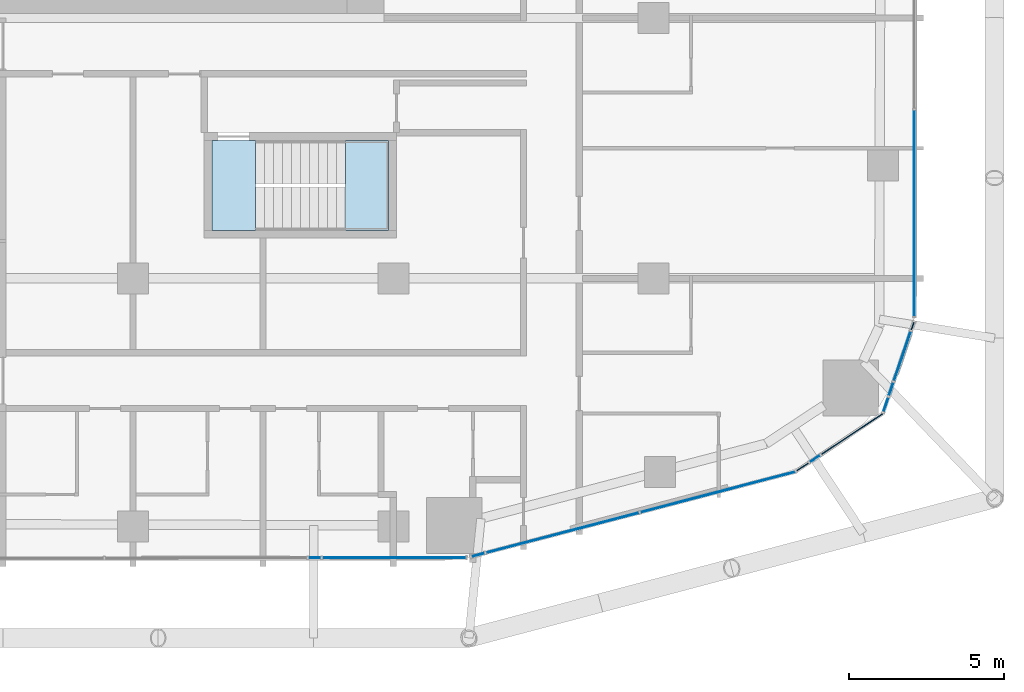
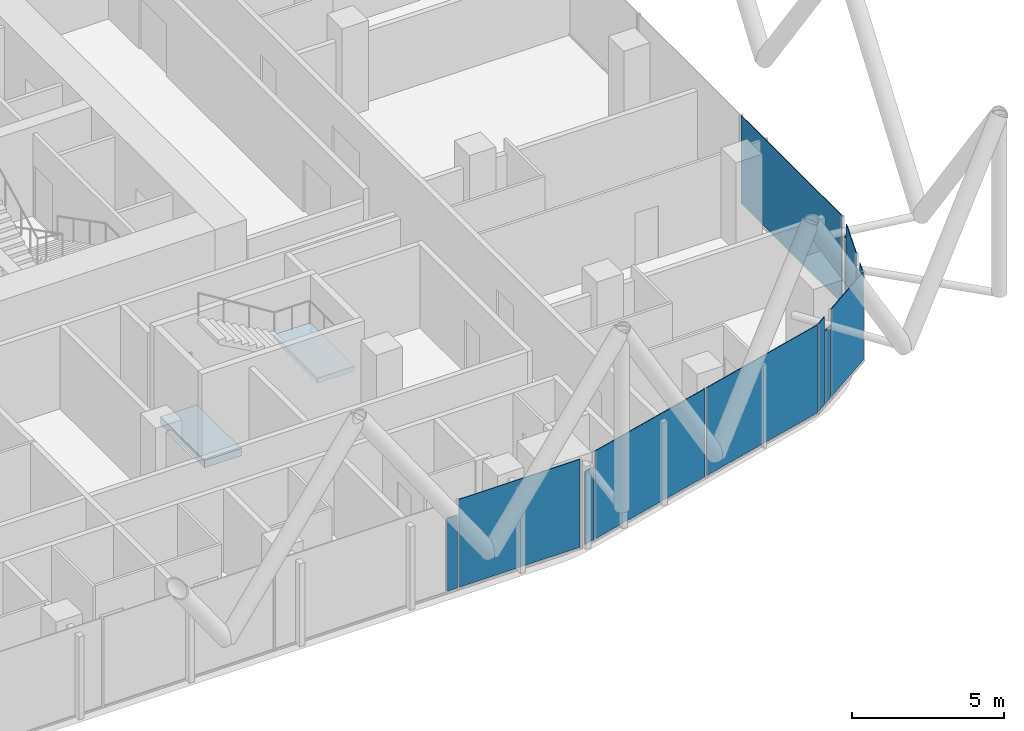
# One storey, part 22 of 38: 13 plates, 2 slabs, 13 elements without a shape of their own.
"""IFC4 building model written with IfcOpenShell, lengths in metres."""

from ifc_helpers import new_model, si_unit, direction, frame, origin, origin_2d, place, context, subcontext, project, spatial, polyline, rectangle, outline, extrude, material, layer, layer_set, type_object, element, aggregate, save


model = new_model("IFC4")

# Units and contexts
model_context = context("Model", 3, precision=1e-05, world=origin(), true_north=direction((0.0, 1.0)))
body_context = subcontext(model_context, "Body", "Model", "MODEL_VIEW")
ifc_project = project(units=[si_unit("LENGTHUNIT", "METRE"), si_unit("AREAUNIT", "SQUARE_METRE"), si_unit("VOLUMEUNIT", "CUBIC_METRE"), si_unit("PLANEANGLEUNIT", "RADIAN"), si_unit("MASSUNIT", "GRAM", prefix="KILO")], contexts=[model_context])

# Site, building, storey
site_placement = place(None, origin())
site = spatial("IfcSite", under=ifc_project, at=site_placement, CompositionType="ELEMENT")
building_placement = place(site_placement, origin())
building = spatial("IfcBuilding", under=site, at=building_placement, Name="Marenta Gate Hotel Tower", CompositionType="ELEMENT")
storey_placement = place(building_placement, frame((0.0, 0.0, 40.10009765625)))
storey = spatial("IfcBuildingStorey", under=building, at=storey_placement, Name="L07", CompositionType="ELEMENT", Elevation=40.10009765625)

# Curtain wall, plate
ifc_material_1 = material(Name="Tinted insulated glass in bronze anodised frame", Category="glass")
ifc_layer_1 = layer(ifc_material_1, 0.1201171875)
ifc_layer_set_1 = layer_set([ifc_layer_1], Name="Tinted insulated glass in bronze anodised frame")
curtain_wall_type = type_object("IfcCurtainWallType", Name="Tower unitised curtain wall CW1", PredefinedType="NOTDEFINED", material=ifc_layer_set_1)
curtain_wall_1_placement = place(storey_placement, origin())
curtain_wall_1 = element("IfcCurtainWall", 1, at=curtain_wall_1_placement, inside=storey, type_object=curtain_wall_type, Name="CW1 run G21", PredefinedType="NOTDEFINED")
ifc_material_2 = material(Name="Tinted insulated glass", Category="glass")
ifc_layer_2 = layer(ifc_material_2, 0.028076171875)
ifc_layer_set_2 = layer_set([ifc_layer_2], Name="Tinted insulated glass")
plate_type = type_object("IfcPlateType", Name="Glass panel CW1 28 mm tinted insulated unit", PredefinedType="CURTAIN_PANEL", material=ifc_layer_set_2)
plate_1_placement = place(storey_placement, frame((10.06298828125, -17.418701171875, 0.06005859375), z_axis=(0.0, 0.0, 1.0), x_axis=(0.999999390865, 0.001103752086, 0.0)))
plate_1 = element("IfcPlate", 2, at=plate_1_placement, type_object=plate_type, Name="CW1 panel 1.1", PredefinedType="CURTAIN_PANEL", context=body_context, shape_type="SweptSolid", body=[
    extrude(rectangle(XDim=0.39306640625, YDim=0.028076171875, at=origin_2d()), origin(), (0.0, 0.0, 1.0), 2.9404296875),
])
aggregate(curtain_wall_1, [plate_1])

curtain_wall_2_placement = place(storey_placement, origin())
curtain_wall_2 = element("IfcCurtainWall", 3, at=curtain_wall_2_placement, inside=storey, type_object=curtain_wall_type, Name="CW1 run G22", PredefinedType="NOTDEFINED")
plate_2_placement = place(storey_placement, frame((12.626708984375, -17.415771484375, 0.059814453125), z_axis=(0.0, 0.0, 1.0), x_axis=(0.99999932513, 0.001161782868, 0.0)))
plate_2 = element("IfcPlate", 4, at=plate_2_placement, type_object=plate_type, Name="CW1 panel 1.1", PredefinedType="CURTAIN_PANEL", context=body_context, shape_type="SweptSolid", body=[
    extrude(rectangle(XDim=4.614013671875, YDim=0.028076171875, at=origin_2d()), origin(), (0.0, 0.0, 1.0), 3.5400390625),
])
aggregate(curtain_wall_2, [plate_2])

curtain_wall_3_placement = place(storey_placement, origin())
curtain_wall_3 = element("IfcCurtainWall", 5, at=curtain_wall_3_placement, inside=storey, type_object=curtain_wall_type, Name="CW1 run G23", PredefinedType="NOTDEFINED")
plate_3_placement = place(storey_placement, frame((15.337158203125, -17.322998046875, 0.06005859375), z_axis=(0.0, 0.0, 1.0), x_axis=(0.967355319897, 0.25342392363, 0.0)))
plate_3 = element("IfcPlate", 6, at=plate_3_placement, type_object=plate_type, Name="CW1 panel 1.1", PredefinedType="CURTAIN_PANEL", context=body_context, shape_type="SweptSolid", body=[
    extrude(rectangle(XDim=0.42333984375, YDim=0.028076171875, at=origin_2d()), origin(), (0.0, 0.0, 1.0), 2.9404296875),
])
aggregate(curtain_wall_3, [plate_3])

# Curtain wall, plates
curtain_wall_4_placement = place(storey_placement, origin())
curtain_wall_4 = element("IfcCurtainWall", 7, at=curtain_wall_4_placement, inside=storey, type_object=curtain_wall_type, Name="CW1 run G24", PredefinedType="NOTDEFINED")
plate_4_placement = place(storey_placement, frame((18.06298828125, -16.609130859375, 0.059814453125), z_axis=(0.0, 0.0, 1.0), x_axis=(0.967371097224, 0.253363691666, 0.0)))
plate_4 = element("IfcPlate", 8, at=plate_4_placement, type_object=plate_type, Name="CW1 panel 1.1", PredefinedType="CURTAIN_PANEL", context=body_context, shape_type="SweptSolid", body=[
    extrude(rectangle(XDim=5.091796875, YDim=0.028076171875, at=origin_2d()), origin(), (0.0, 0.0, 1.0), 3.5400390625),
])
plate_5_placement = place(storey_placement, frame((23.07568359375, -15.296142578125, 0.059814453125), z_axis=(0.0, 0.0, 1.0), x_axis=(0.967371097224, 0.253363691666, 0.0)))
plate_5 = element("IfcPlate", 9, at=plate_5_placement, type_object=plate_type, Name="CW1 panel 2.1", PredefinedType="CURTAIN_PANEL", context=body_context, shape_type="SweptSolid", body=[
    extrude(rectangle(XDim=5.15185546875, YDim=0.028076171875, at=origin_2d()), origin(), (0.0, 0.0, 1.0), 3.5400390625),
])
aggregate(curtain_wall_4, [plate_4, plate_5])

# Curtain wall, plate
curtain_wall_5_placement = place(storey_placement, origin())
curtain_wall_5 = element("IfcCurtainWall", 10, at=curtain_wall_5_placement, inside=storey, type_object=curtain_wall_type, Name="CW1 run G25", PredefinedType="NOTDEFINED")
plate_6_placement = place(storey_placement, frame((25.805419921875, -14.4853515625, 0.059814453125), z_axis=(0.0, 0.0, 1.0), x_axis=(0.83247144448, 0.55406795082, 0.0)))
plate_6 = element("IfcPlate", 11, at=plate_6_placement, type_object=plate_type, Name="CW1 panel 1.1", PredefinedType="CURTAIN_PANEL", context=body_context, shape_type="SweptSolid", body=[
    extrude(rectangle(XDim=0.451171875, YDim=0.028076171875, at=origin_2d()), origin(), (0.0, 0.0, 1.0), 3.5400390625),
])
aggregate(curtain_wall_5, [plate_6])

curtain_wall_6_placement = place(storey_placement, origin())
curtain_wall_6 = element("IfcCurtainWall", 12, at=curtain_wall_6_placement, inside=storey, type_object=curtain_wall_type, Name="CW1 run G26", PredefinedType="NOTDEFINED")
plate_7_placement = place(storey_placement, frame((26.20654296875, -14.21826171875, 0.06005859375), z_axis=(0.0, 0.0, 1.0), x_axis=(0.832559434477, 0.55393572557, 0.0)))
plate_7 = element("IfcPlate", 13, at=plate_7_placement, type_object=plate_type, Name="CW1 panel 1.1", PredefinedType="CURTAIN_PANEL", context=body_context, shape_type="SweptSolid", body=[
    extrude(rectangle(XDim=0.392822265625, YDim=0.028076171875, at=origin_2d()), origin(), (0.0, 0.0, 1.0), 2.9404296875),
])
aggregate(curtain_wall_6, [plate_7])

curtain_wall_7_placement = place(storey_placement, origin())
curtain_wall_7 = element("IfcCurtainWall", 14, at=curtain_wall_7_placement, inside=storey, type_object=curtain_wall_type, Name="CW1 run G27", PredefinedType="NOTDEFINED")
plate_8_placement = place(storey_placement, frame((27.407958984375, -13.418701171875, 0.059814453125), z_axis=(0.0, 0.0, 1.0), x_axis=(0.832486310802, 0.554045613941, 0.0)))
plate_8 = element("IfcPlate", 15, at=plate_8_placement, type_object=plate_type, Name="CW1 panel 1.1", PredefinedType="CURTAIN_PANEL", context=body_context, shape_type="SweptSolid", body=[
    extrude(rectangle(XDim=2.373291015625, YDim=0.028076171875, at=origin_2d()), origin(), (0.0, 0.0, 1.0), 3.5400390625),
])
aggregate(curtain_wall_7, [plate_8])

curtain_wall_8_placement = place(storey_placement, origin())
curtain_wall_8 = element("IfcCurtainWall", 16, at=curtain_wall_8_placement, inside=storey, type_object=curtain_wall_type, Name="CW1 run G28", PredefinedType="NOTDEFINED")
plate_9_placement = place(storey_placement, frame((28.493408203125, -12.474609375, 0.059814453125), z_axis=(0.0, 0.0, 1.0), x_axis=(0.322050601446, 0.946722456746, 0.0)))
plate_9 = element("IfcPlate", 17, at=plate_9_placement, type_object=plate_type, Name="CW1 panel 1.1", PredefinedType="CURTAIN_PANEL", context=body_context, shape_type="SweptSolid", body=[
    extrude(rectangle(XDim=0.485595703125, YDim=0.028076171875, at=origin_2d()), origin(), (0.0, 0.0, 1.0), 3.5400390625),
])
aggregate(curtain_wall_8, [plate_9])

curtain_wall_9_placement = place(storey_placement, origin())
curtain_wall_9 = element("IfcCurtainWall", 18, at=curtain_wall_9_placement, inside=storey, type_object=curtain_wall_type, Name="CW1 run G29", PredefinedType="NOTDEFINED")
plate_10_placement = place(storey_placement, frame((28.663330078125, -11.974853515625, 0.06005859375), z_axis=(0.0, 0.0, 1.0), x_axis=(0.321979977321, 0.946746478316, 0.0)))
plate_10 = element("IfcPlate", 19, at=plate_10_placement, type_object=plate_type, Name="CW1 panel 1.1", PredefinedType="CURTAIN_PANEL", context=body_context, shape_type="SweptSolid", body=[
    extrude(rectangle(XDim=0.45068359375, YDim=0.028076171875, at=origin_2d()), origin(), (0.0, 0.0, 1.0), 2.9404296875),
])
aggregate(curtain_wall_9, [plate_10])

curtain_wall_10_placement = place(storey_placement, origin())
curtain_wall_10 = element("IfcCurtainWall", 20, at=curtain_wall_10_placement, inside=storey, type_object=curtain_wall_type, Name="CW1 run G30", PredefinedType="NOTDEFINED")
plate_11_placement = place(storey_placement, frame((29.025634765625, -10.90966796875, 0.059814453125), z_axis=(0.0, 0.0, 1.0), x_axis=(0.322033613183, 0.946728235546, 0.0)))
plate_11 = element("IfcPlate", 21, at=plate_11_placement, type_object=plate_type, Name="CW1 panel 1.1", PredefinedType="CURTAIN_PANEL", context=body_context, shape_type="SweptSolid", body=[
    extrude(rectangle(XDim=1.6796875, YDim=0.028076171875, at=origin_2d()), origin(), (0.0, 0.0, 1.0), 3.5400390625),
])
aggregate(curtain_wall_10, [plate_11])

curtain_wall_11_placement = place(storey_placement, origin())
curtain_wall_11 = element("IfcCurtainWall", 22, at=curtain_wall_11_placement, inside=storey, type_object=curtain_wall_type, Name="CW1 run G31", PredefinedType="NOTDEFINED")
plate_12_placement = place(storey_placement, frame((29.35498046875, -9.94140625, 0.06005859375), z_axis=(0.0, 0.0, 1.0), x_axis=(0.322039841818, 0.946726116827, 0.0)))
plate_12 = element("IfcPlate", 23, at=plate_12_placement, type_object=plate_type, Name="CW1 panel 1.1", PredefinedType="CURTAIN_PANEL", context=body_context, shape_type="SweptSolid", body=[
    extrude(rectangle(XDim=0.24609375, YDim=0.028076171875, at=origin_2d()), origin(), (0.0, 0.0, 1.0), 2.9404296875),
])
aggregate(curtain_wall_11, [plate_12])

curtain_wall_12_placement = place(storey_placement, origin())
curtain_wall_12 = element("IfcCurtainWall", 24, at=curtain_wall_12_placement, inside=storey, type_object=curtain_wall_type, Name="CW1 run G32", PredefinedType="NOTDEFINED")
plate_13_placement = place(storey_placement, frame((29.4140625, -6.294677734375, 0.059814453125), z_axis=(0.0, 0.0, 1.0), x_axis=(0.0, 1.0, 0.0)))
plate_13 = element("IfcPlate", 25, at=plate_13_placement, type_object=plate_type, Name="CW1 panel 1.1", PredefinedType="CURTAIN_PANEL", context=body_context, shape_type="SweptSolid", body=[
    extrude(rectangle(XDim=6.640625, YDim=0.028076171875, at=origin_2d()), origin(), (0.0, 0.0, 1.0), 3.5400390625),
])
aggregate(curtain_wall_12, [plate_13])

# Stair, slab
ifc_material_3 = material(Name="Concrete C40", Category="concrete")
stair_type = type_object("IfcStairType", Name="Remote exit stair 1400 wide", PredefinedType="HALF_TURN_STAIR", material=ifc_material_3)
stair_placement = place(storey_placement, origin())
stair = element("IfcStair", 26, at=stair_placement, inside=storey, type_object=stair_type, Name="Exit stair RS-Z1-1", PredefinedType="HALF_TURN_STAIR")
ifc_material_4 = material(Name="Concrete C40", Category="concrete")
ifc_layer_3 = layer(ifc_material_4, 0.199951171875)
ifc_layer_set_3 = layer_set([ifc_layer_3], Name="Concrete C40")
slab_type_1 = type_object("IfcSlabType", Name="Remote stair landing 200", PredefinedType="LANDING", material=ifc_layer_set_3)
slab_1_placement = place(storey_placement, frame((0.0, 0.0, 1.599853515625)))
slab_1 = element("IfcSlab", 27, at=slab_1_placement, type_object=slab_type_1, Name="RL-200 RS-Z1-1 landing 1", PredefinedType="LANDING", context=body_context, shape_type="SweptSolid", body=[
    extrude(outline(polyline([(11.050048828125, -6.85009765625), (12.449951171875, -6.85009765625), (12.449951171875, -3.949951171875), (11.050048828125, -3.949951171875), (11.050048828125, -6.85009765625)])), origin(), (0.0, 0.0, 1.0), 0.199951171875),
])
aggregate(stair, [slab_1])

# Slab
ifc_material_5 = material(Name="Concrete C40", Category="concrete")
ifc_layer_4 = layer(ifc_material_5, 0.300048828125)
ifc_layer_set_4 = layer_set([ifc_layer_4], Name="Concrete C40")
slab_type_2 = type_object("IfcSlabType", Name="Stair floor landing slab 300", PredefinedType="FLOOR", material=ifc_layer_set_4)
slab_2_placement = place(storey_placement, frame((0.0, 0.0, -0.300048828125)))
element("IfcSlab", 28, at=slab_2_placement, inside=storey, type_object=slab_type_2, Name="L07-RS-Z1-1-CL", PredefinedType="FLOOR", context=body_context, shape_type="SweptSolid", body=[
    extrude(outline(polyline([(8.14990234375, -6.85009765625), (8.14990234375, -3.949951171875), (6.75, -3.949951171875), (6.75, -6.85009765625), (8.14990234375, -6.85009765625)])), origin(), (0.0, 0.0, 1.0), 0.300048828125),
])

save(model, "model.ifc")
